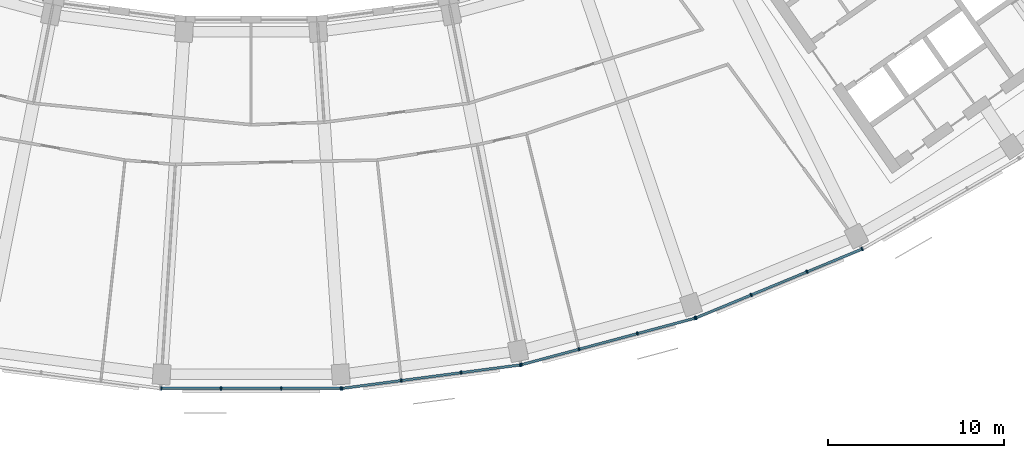
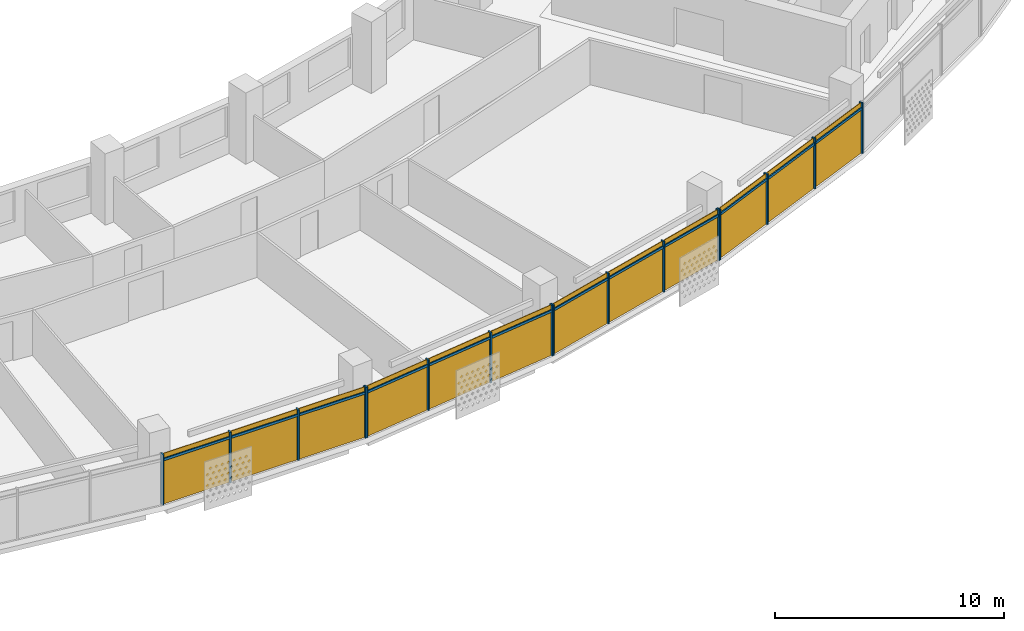
# One storey, part 20 of 28: 28 members, 4 curtain walls.
"""IFC4 building model written with IfcOpenShell, lengths in metres."""

import ifcopenshell
import ifcopenshell.guid

model = None  # the IFC model being written
_history = None  # IfcOwnerHistory: only IFC2X3 demands one
_inside = {}  # id of a spatial element -> (the spatial element, [elements in it])
_under = {}  # id of a project, library or spatial element -> (it, [spatial elements below it])
_declared = {}  # id of a project -> (the project, [libraries it declares])
_typed = {}  # id of a type object -> (the type object, [elements of that type])
_made_of = {}  # id of a material, layer set ... -> (it, [elements and type objects made of it])


def new_model(schema):
    """Start an empty IFC model of exactly this schema.

    Asked for "IFC4X3", IfcOpenShell would pick the latest addendum, in which some entities
    have other attributes; the version numbers below select the first issue.
    IFC2X3 requires an IfcOwnerHistory on every rooted entity: one is made here for all.
    """
    global model, _history
    if schema == "IFC4X3":
        model = ifcopenshell.file(schema_version=(4, 3, 0, 0))
    else:
        model = ifcopenshell.file(schema=schema)
    _inside.clear()
    _under.clear()
    _declared.clear()
    _typed.clear()
    _made_of.clear()
    _history = None
    if model.schema == "IFC2X3":
        org = make("IfcOrganization", Name="unknown")
        user = make(
            "IfcPersonAndOrganization",
            ThePerson=make("IfcPerson", FamilyName="unknown"),
            TheOrganization=org,
        )
        app = make(
            "IfcApplication",
            ApplicationDeveloper=org,
            Version="unknown",
            ApplicationFullName="unknown",
            ApplicationIdentifier="unknown",
        )
        _history = make(
            "IfcOwnerHistory",
            OwningUser=user,
            OwningApplication=app,
            ChangeAction="ADDED",
            CreationDate=0,
        )
    return model


def make(cls, **values):
    """One entity of the class cls with the attributes given. An attribute that is None is left unset."""
    return model.create_entity(
        cls, **{name: value for name, value in values.items() if value is not None}
    )


def rooted(cls, **values):
    """An entity with a GlobalId (a new one), such as an element, a storey or a relation."""
    return make(cls, GlobalId=ifcopenshell.guid.new(), OwnerHistory=_history, **values)


def si_unit(unit_type, name, prefix=None):
    """IfcSIUnit, for example si_unit("LENGTHUNIT", "METRE", prefix="MILLI")."""
    return make("IfcSIUnit", UnitType=unit_type, Prefix=prefix, Name=name)


def assignment(units):
    """IfcUnitAssignment: the units of a project."""
    return None if units is None else make("IfcUnitAssignment", Units=units)


def point(xyz):
    """IfcCartesianPoint."""
    return None if xyz is None else make("IfcCartesianPoint", Coordinates=xyz)


def direction(xyz):
    """IfcDirection."""
    return None if xyz is None else make("IfcDirection", DirectionRatios=xyz)


def frame(location, z_axis=None, x_axis=None):
    """IfcAxis2Placement3D, a coordinate frame: its origin and axes. An axis left out is left unset."""
    return make(
        "IfcAxis2Placement3D",
        Location=point(location),
        Axis=direction(z_axis),
        RefDirection=direction(x_axis),
    )


def frame_2d(location, x_axis=None):
    """IfcAxis2Placement2D, a coordinate frame in the plane: its origin and x axis."""
    return make(
        "IfcAxis2Placement2D", Location=point(location), RefDirection=direction(x_axis)
    )


def origin():
    """The frame at (0, 0, 0) with its axes left unset."""
    return frame((0.0, 0.0, 0.0))


def origin_2d():
    """The frame at (0, 0) in the plane with its x axis left unset."""
    return frame_2d((0.0, 0.0))


def place(relative_to, where):
    """IfcLocalPlacement: puts the frame where relative to a parent placement (None: the world)."""
    return make(
        "IfcLocalPlacement", PlacementRelTo=relative_to, RelativePlacement=where
    )


def context(
    kind, dimensions, precision=None, world=None, true_north=None, identifier=None
):
    """IfcGeometricRepresentationContext, for example the 3D "Model" context."""
    return make(
        "IfcGeometricRepresentationContext",
        ContextIdentifier=identifier,
        ContextType=kind,
        CoordinateSpaceDimension=dimensions,
        Precision=precision,
        WorldCoordinateSystem=world,
        TrueNorth=true_north,
    )


def subcontext(parent, identifier, kind, view, scale=None):
    """IfcGeometricRepresentationSubContext, for example "Body" below "Model"."""
    return make(
        "IfcGeometricRepresentationSubContext",
        ContextIdentifier=identifier,
        ContextType=kind,
        ParentContext=parent,
        TargetScale=scale,
        TargetView=view,
    )


def project(units=None, contexts=None):
    """IfcProject with its units and contexts."""
    return rooted(
        "IfcProject",
        Name="project",
        RepresentationContexts=contexts,
        UnitsInContext=assignment(units),
    )


def spatial(cls, under=None, at=None, **own):
    """A site, building, storey or space (cls), placed at a placement, below another one or the project."""
    s = rooted(cls, ObjectPlacement=at, **own)
    if under is not None:
        _under.setdefault(under.id(), (under, []))[1].append(s)
    return s


def profile(cls, at=None, kind="AREA", **sizes):
    """A parametric profile (cls). Its sizes go by their IFC names, for example OverallWidth=200.0."""
    return make(cls, ProfileType=kind, Position=at, **sizes)


def rectangle(**sizes):
    """IfcRectangleProfileDef."""
    return profile("IfcRectangleProfileDef", **sizes)


def extrude(swept, where, along, depth):
    """IfcExtrudedAreaSolid: the profile swept, set in the frame where, extruded along a direction by depth."""
    return make(
        "IfcExtrudedAreaSolid",
        SweptArea=swept,
        Position=where,
        ExtrudedDirection=direction(along),
        Depth=depth,
    )


def shape(context_of_items, identifier, shape_type, items):
    """IfcShapeRepresentation: the items that make up one representation, for example the "Body"."""
    return make(
        "IfcShapeRepresentation",
        ContextOfItems=context_of_items,
        RepresentationIdentifier=identifier,
        RepresentationType=shape_type,
        Items=items,
    )


def material(Name=None, Category=None):
    """IfcMaterial."""
    return make("IfcMaterial", Name=Name, Category=Category)


def material_profile(
    of_material, cross_section, Name=None, Category=None, Priority=None
):
    """IfcMaterialProfile: a cross section and its material."""
    return make(
        "IfcMaterialProfile",
        Name=Name,
        Material=of_material,
        Profile=cross_section,
        Priority=Priority,
        Category=Category,
    )


def profile_set(profiles, Name=None, composite=None):
    """IfcMaterialProfileSet."""
    return make(
        "IfcMaterialProfileSet",
        Name=Name,
        MaterialProfiles=profiles,
        CompositeProfile=composite,
    )


def made_of(thing, what):
    """Note that an element or type object is made of a material, layer set ...; save() writes the relation."""
    if what is not None:
        _made_of.setdefault(what.id(), (what, []))[1].append(thing)
    return thing


def type_object(cls, material=None, **own):
    """A type object (cls), such as IfcWallType, which elements share."""
    return made_of(rooted(cls, **own), material)


def element(
    cls,
    number,
    at=None,
    inside=None,
    cuts=None,
    type_object=None,
    material=None,
    context=None,
    identifier="Body",
    shape_type=None,
    held_by="IfcProductDefinitionShape",
    body=None,
    shapes=None,
    **own,
):
    """One element of the class cls, such as IfcWall. Its Tag is "e" and its number.

    at: its placement. inside: the storey or other place that contains it. cuts: it is an
    opening in that element (IfcRelVoidsElement). A single representation is given by context,
    identifier, shape_type and body (its items); several are given by shapes. held_by: the class
    of the entity that holds the representations. save() writes the other relations.
    """
    e = rooted(cls, Tag="e%d" % number, ObjectPlacement=at, **own)
    if body is not None:
        shapes = [shape(context, identifier, shape_type, body)]
    if shapes is not None:
        e.Representation = make(held_by, Representations=shapes)
    if inside is not None:
        _inside.setdefault(inside.id(), (inside, []))[1].append(e)
    if cuts is not None:
        rooted(
            "IfcRelVoidsElement", RelatingBuildingElement=cuts, RelatedOpeningElement=e
        )
    if type_object is not None:
        _typed.setdefault(type_object.id(), (type_object, []))[1].append(e)
    return made_of(e, material)


def aggregate(whole, parts):
    """IfcRelAggregates: a whole, such as a stair, and the parts it consists of."""
    return rooted("IfcRelAggregates", RelatingObject=whole, RelatedObjects=parts)


def save(model, path):
    """Write the relations noted so far, then the file.

    IfcRelAggregates (storeys below a building ...), IfcRelContainedInSpatialStructure (elements
    in a storey), IfcRelDefinesByType, IfcRelAssociatesMaterial and IfcRelDeclares: one each for
    every whole, place, type object, material and project.
    """
    for whole, parts in _under.values():
        aggregate(whole, parts)
    for where, things in _inside.values():
        rooted(
            "IfcRelContainedInSpatialStructure",
            RelatedElements=things,
            RelatingStructure=where,
        )
    for kind, things in _typed.values():
        rooted("IfcRelDefinesByType", RelatedObjects=things, RelatingType=kind)
    for what, things in _made_of.values():
        rooted("IfcRelAssociatesMaterial", RelatedObjects=things, RelatingMaterial=what)
    for by, libraries in _declared.values():
        rooted("IfcRelDeclares", RelatingContext=by, RelatedDefinitions=libraries)
    model.write(path)


model = new_model("IFC4")

# Units and contexts
model_context = context("Model", 3, precision=1e-05, world=origin(), true_north=direction((0.0, 1.0)))
body_context = subcontext(model_context, "Body", "Model", "MODEL_VIEW")
ifc_project = project(units=[si_unit("LENGTHUNIT", "METRE"), si_unit("AREAUNIT", "SQUARE_METRE"), si_unit("VOLUMEUNIT", "CUBIC_METRE"), si_unit("PLANEANGLEUNIT", "RADIAN"), si_unit("MASSUNIT", "GRAM", prefix="KILO")], contexts=[model_context])

# Member
ifc_material = material(Name="Aluminium 6063-T6 anodised", Category="aluminium")
ifc_material_profile_1 = material_profile(ifc_material, rectangle(XDim=0.199951171875, YDim=0.070068359375, at=origin_2d()))
ifc_profile_set_1 = profile_set([ifc_material_profile_1], Name="Aluminium 6063-T6 anodised")
member_type_1 = type_object("IfcMemberType", Name="Mullion 70 x 200 aluminium", PredefinedType="MULLION", material=ifc_profile_set_1)
site_placement = place(None, origin())
building_placement = place(site_placement, origin())
storey_placement = place(building_placement, frame((0.0, 0.0, 245.5)))
member_1_placement = place(storey_placement, frame((-5.10888671875, -78.381591796875, 0.0), z_axis=(0.0, 0.0, 1.0), x_axis=(0.0, 1.0, 0.0)))
member_1 = element("IfcMember", 1, at=member_1_placement, type_object=member_type_1, Name="e-cw1-L59-out08/M00", PredefinedType="MULLION", context=body_context, shape_type="SweptSolid", body=[
    extrude(rectangle(XDim=0.199951171875, YDim=0.070068359375, at=origin_2d()), origin(), (0.0, 0.0, 1.0), 2.699951171875),
])

member_2_placement = place(storey_placement, frame((-1.714599609375, -78.381591796875, 0.0), z_axis=(0.0, 0.0, 1.0), x_axis=(0.0, 1.0, 0.0)))
member_2 = element("IfcMember", 2, at=member_2_placement, type_object=member_type_1, Name="e-cw1-L59-out08/M01", PredefinedType="MULLION", context=body_context, shape_type="SweptSolid", body=[
    extrude(rectangle(XDim=0.199951171875, YDim=0.070068359375, at=origin_2d()), origin(), (0.0, 0.0, 1.0), 2.699951171875),
])

member_3_placement = place(storey_placement, frame((1.714599609375, -78.381591796875, 0.0), z_axis=(0.0, 0.0, 1.0), x_axis=(0.0, 1.0, 0.0)))
member_3 = element("IfcMember", 3, at=member_3_placement, type_object=member_type_1, Name="e-cw1-L59-out08/M02", PredefinedType="MULLION", context=body_context, shape_type="SweptSolid", body=[
    extrude(rectangle(XDim=0.199951171875, YDim=0.070068359375, at=origin_2d()), origin(), (0.0, 0.0, 1.0), 2.699951171875),
])

member_4_placement = place(storey_placement, frame((5.10888671875, -78.381591796875, 0.0), z_axis=(0.0, 0.0, 1.0), x_axis=(0.0, 1.0, 0.0)))
member_4 = element("IfcMember", 4, at=member_4_placement, type_object=member_type_1, Name="e-cw1-L59-out08/M03", PredefinedType="MULLION", context=body_context, shape_type="SweptSolid", body=[
    extrude(rectangle(XDim=0.199951171875, YDim=0.070068359375, at=origin_2d()), origin(), (0.0, 0.0, 1.0), 2.699951171875),
])

member_5_placement = place(storey_placement, frame((5.16552734375, -78.3779296875, 0.0), z_axis=(0.0, 0.0, 1.0), x_axis=(-0.13052619222, 0.991444861374, 0.0)))
member_5 = element("IfcMember", 5, at=member_5_placement, type_object=member_type_1, Name="e-cw1-L59-out09/M00", PredefinedType="MULLION", context=body_context, shape_type="SweptSolid", body=[
    extrude(rectangle(XDim=0.199951171875, YDim=0.070068359375, at=origin_2d()), origin(), (0.0, 0.0, 1.0), 2.699951171875),
])

member_6_placement = place(storey_placement, frame((8.53076171875, -77.934814453125, 0.0), z_axis=(0.0, 0.0, 1.0), x_axis=(-0.13052619222, 0.991444861374, 0.0)))
member_6 = element("IfcMember", 6, at=member_6_placement, type_object=member_type_1, Name="e-cw1-L59-out09/M01", PredefinedType="MULLION", context=body_context, shape_type="SweptSolid", body=[
    extrude(rectangle(XDim=0.199951171875, YDim=0.070068359375, at=origin_2d()), origin(), (0.0, 0.0, 1.0), 2.699951171875),
])

member_7_placement = place(storey_placement, frame((11.930908203125, -77.4873046875, 0.0), z_axis=(0.0, 0.0, 1.0), x_axis=(-0.13052619222, 0.991444861374, 0.0)))
member_7 = element("IfcMember", 7, at=member_7_placement, type_object=member_type_1, Name="e-cw1-L59-out09/M02", PredefinedType="MULLION", context=body_context, shape_type="SweptSolid", body=[
    extrude(rectangle(XDim=0.199951171875, YDim=0.070068359375, at=origin_2d()), origin(), (0.0, 0.0, 1.0), 2.699951171875),
])

member_8_placement = place(storey_placement, frame((15.296142578125, -77.044189453125, 0.0), z_axis=(0.0, 0.0, 1.0), x_axis=(-0.13052619222, 0.991444861374, 0.0)))
member_8 = element("IfcMember", 8, at=member_8_placement, type_object=member_type_1, Name="e-cw1-L59-out09/M03", PredefinedType="MULLION", context=body_context, shape_type="SweptSolid", body=[
    extrude(rectangle(XDim=0.199951171875, YDim=0.070068359375, at=origin_2d()), origin(), (0.0, 0.0, 1.0), 2.699951171875),
])

member_9_placement = place(storey_placement, frame((15.351806640625, -77.033203125, 0.0), z_axis=(0.0, 0.0, 1.0), x_axis=(-0.258819045103, 0.965925826289, 0.0)))
member_9 = element("IfcMember", 9, at=member_9_placement, type_object=member_type_1, Name="e-cw1-L59-out10/M00", PredefinedType="MULLION", context=body_context, shape_type="SweptSolid", body=[
    extrude(rectangle(XDim=0.199951171875, YDim=0.070068359375, at=origin_2d()), origin(), (0.0, 0.0, 1.0), 2.699951171875),
])

member_10_placement = place(storey_placement, frame((18.63037109375, -76.154541015625, 0.0), z_axis=(0.0, 0.0, 1.0), x_axis=(-0.258819045103, 0.965925826289, 0.0)))
member_10 = element("IfcMember", 10, at=member_10_placement, type_object=member_type_1, Name="e-cw1-L59-out10/M01", PredefinedType="MULLION", context=body_context, shape_type="SweptSolid", body=[
    extrude(rectangle(XDim=0.199951171875, YDim=0.070068359375, at=origin_2d()), origin(), (0.0, 0.0, 1.0), 2.699951171875),
])

member_11_placement = place(storey_placement, frame((21.94287109375, -75.26708984375, 0.0), z_axis=(0.0, 0.0, 1.0), x_axis=(-0.258819045103, 0.965925826289, 0.0)))
member_11 = element("IfcMember", 11, at=member_11_placement, type_object=member_type_1, Name="e-cw1-L59-out10/M02", PredefinedType="MULLION", context=body_context, shape_type="SweptSolid", body=[
    extrude(rectangle(XDim=0.199951171875, YDim=0.070068359375, at=origin_2d()), origin(), (0.0, 0.0, 1.0), 2.699951171875),
])

member_12_placement = place(storey_placement, frame((25.221435546875, -74.388427734375, 0.0), z_axis=(0.0, 0.0, 1.0), x_axis=(-0.258819045103, 0.965925826289, 0.0)))
member_12 = element("IfcMember", 12, at=member_12_placement, type_object=member_type_1, Name="e-cw1-L59-out10/M03", PredefinedType="MULLION", context=body_context, shape_type="SweptSolid", body=[
    extrude(rectangle(XDim=0.199951171875, YDim=0.070068359375, at=origin_2d()), origin(), (0.0, 0.0, 1.0), 2.699951171875),
])

member_13_placement = place(storey_placement, frame((25.275390625, -74.370361328125, 0.0), z_axis=(0.0, 0.0, 1.0), x_axis=(-0.382683432365, 0.923879532511, 0.0)))
member_13 = element("IfcMember", 13, at=member_13_placement, type_object=member_type_1, Name="e-cw1-L59-out11/M00", PredefinedType="MULLION", context=body_context, shape_type="SweptSolid", body=[
    extrude(rectangle(XDim=0.199951171875, YDim=0.070068359375, at=origin_2d()), origin(), (0.0, 0.0, 1.0), 2.699951171875),
])

member_14_placement = place(storey_placement, frame((28.4111328125, -73.0712890625, 0.0), z_axis=(0.0, 0.0, 1.0), x_axis=(-0.382683432365, 0.923879532511, 0.0)))
member_14 = element("IfcMember", 14, at=member_14_placement, type_object=member_type_1, Name="e-cw1-L59-out11/M01", PredefinedType="MULLION", context=body_context, shape_type="SweptSolid", body=[
    extrude(rectangle(XDim=0.199951171875, YDim=0.070068359375, at=origin_2d()), origin(), (0.0, 0.0, 1.0), 2.699951171875),
])

member_15_placement = place(storey_placement, frame((31.57958984375, -71.759033203125, 0.0), z_axis=(0.0, 0.0, 1.0), x_axis=(-0.382683432365, 0.923879532511, 0.0)))
member_15 = element("IfcMember", 15, at=member_15_placement, type_object=member_type_1, Name="e-cw1-L59-out11/M02", PredefinedType="MULLION", context=body_context, shape_type="SweptSolid", body=[
    extrude(rectangle(XDim=0.199951171875, YDim=0.070068359375, at=origin_2d()), origin(), (0.0, 0.0, 1.0), 2.699951171875),
])

member_16_placement = place(storey_placement, frame((34.71533203125, -70.4599609375, 0.0), z_axis=(0.0, 0.0, 1.0), x_axis=(-0.382683432365, 0.923879532511, 0.0)))
member_16 = element("IfcMember", 16, at=member_16_placement, type_object=member_type_1, Name="e-cw1-L59-out11/M03", PredefinedType="MULLION", context=body_context, shape_type="SweptSolid", body=[
    extrude(rectangle(XDim=0.199951171875, YDim=0.070068359375, at=origin_2d()), origin(), (0.0, 0.0, 1.0), 2.699951171875),
])

ifc_material_profile_2 = material_profile(ifc_material, rectangle(XDim=0.139892578125, YDim=0.1201171875, at=origin_2d()))
ifc_profile_set_2 = profile_set([ifc_material_profile_2], Name="Aluminium 6063-T6 anodised")
member_type_2 = type_object("IfcMemberType", Name="Transom 120 x 140 aluminium", PredefinedType="USERDEFINED", material=ifc_profile_set_2)
member_17_placement = place(storey_placement, frame((-5.073974609375, -78.381591796875, 2.39990234375), z_axis=(1.0, 0.0, 0.0), x_axis=(0.0, 1.0, 0.0)))
member_17 = element("IfcMember", 17, at=member_17_placement, type_object=member_type_2, Name="e-cw1-L59-out08/T00", ObjectType="TRANSOM", PredefinedType="USERDEFINED", context=body_context, shape_type="SweptSolid", body=[
    extrude(rectangle(XDim=0.139892578125, YDim=0.1201171875, at=origin_2d()), origin(), (0.0, 0.0, 1.0), 3.32421875),
])

member_18_placement = place(storey_placement, frame((-1.6796875, -78.381591796875, 2.39990234375), z_axis=(1.0, 0.0, 0.0), x_axis=(0.0, 1.0, 0.0)))
member_18 = element("IfcMember", 18, at=member_18_placement, type_object=member_type_2, Name="e-cw1-L59-out08/T01", ObjectType="TRANSOM", PredefinedType="USERDEFINED", context=body_context, shape_type="SweptSolid", body=[
    extrude(rectangle(XDim=0.139892578125, YDim=0.1201171875, at=origin_2d()), origin(), (0.0, 0.0, 1.0), 3.359375),
])

member_19_placement = place(storey_placement, frame((1.749755859375, -78.381591796875, 2.39990234375), z_axis=(1.0, 0.0, 0.0), x_axis=(0.0, 1.0, 0.0)))
member_19 = element("IfcMember", 19, at=member_19_placement, type_object=member_type_2, Name="e-cw1-L59-out08/T02", ObjectType="TRANSOM", PredefinedType="USERDEFINED", context=body_context, shape_type="SweptSolid", body=[
    extrude(rectangle(XDim=0.139892578125, YDim=0.1201171875, at=origin_2d()), origin(), (0.0, 0.0, 1.0), 3.32421875),
])

member_20_placement = place(storey_placement, frame((5.2001953125, -78.373291015625, 2.39990234375), z_axis=(0.991447795146, 0.130503906072, 0.0), x_axis=(-0.130503906072, 0.991447795146, 0.0)))
member_20 = element("IfcMember", 20, at=member_20_placement, type_object=member_type_2, Name="e-cw1-L59-out09/T00", ObjectType="TRANSOM", PredefinedType="USERDEFINED", context=body_context, shape_type="SweptSolid", body=[
    extrude(rectangle(XDim=0.139892578125, YDim=0.1201171875, at=origin_2d()), origin(), (0.0, 0.0, 1.0), 3.32421875),
])

member_21_placement = place(storey_placement, frame((8.565673828125, -77.93017578125, 2.39990234375), z_axis=(0.991444893088, 0.130525951326, 0.0), x_axis=(-0.130525951326, 0.991444893088, 0.0)))
member_21 = element("IfcMember", 21, at=member_21_placement, type_object=member_type_2, Name="e-cw1-L59-out09/T01", ObjectType="TRANSOM", PredefinedType="USERDEFINED", context=body_context, shape_type="SweptSolid", body=[
    extrude(rectangle(XDim=0.139892578125, YDim=0.1201171875, at=origin_2d()), origin(), (0.0, 0.0, 1.0), 3.359375),
])

member_22_placement = place(storey_placement, frame((11.965576171875, -77.482666015625, 2.39990234375), z_axis=(0.991447795146, 0.130503906072, 0.0), x_axis=(-0.130503906072, 0.991447795146, 0.0)))
member_22 = element("IfcMember", 22, at=member_22_placement, type_object=member_type_2, Name="e-cw1-L59-out09/T02", ObjectType="TRANSOM", PredefinedType="USERDEFINED", context=body_context, shape_type="SweptSolid", body=[
    extrude(rectangle(XDim=0.139892578125, YDim=0.1201171875, at=origin_2d()), origin(), (0.0, 0.0, 1.0), 3.32421875),
])

member_23_placement = place(storey_placement, frame((15.385498046875, -77.024169921875, 2.39990234375), z_axis=(0.965913629723, 0.258864559019, 0.0), x_axis=(-0.258864559019, 0.965913629723, 0.0)))
member_23 = element("IfcMember", 23, at=member_23_placement, type_object=member_type_2, Name="e-cw1-L59-out10/T00", ObjectType="TRANSOM", PredefinedType="USERDEFINED", context=body_context, shape_type="SweptSolid", body=[
    extrude(rectangle(XDim=0.139892578125, YDim=0.1201171875, at=origin_2d()), origin(), (0.0, 0.0, 1.0), 3.324462890625),
])

member_24_placement = place(storey_placement, frame((18.664306640625, -76.1455078125, 2.39990234375), z_axis=(0.965931507774, 0.258797840582, 0.0), x_axis=(-0.258797840582, 0.965931507774, 0.0)))
member_24 = element("IfcMember", 24, at=member_24_placement, type_object=member_type_2, Name="e-cw1-L59-out10/T01", ObjectType="TRANSOM", PredefinedType="USERDEFINED", context=body_context, shape_type="SweptSolid", body=[
    extrude(rectangle(XDim=0.139892578125, YDim=0.1201171875, at=origin_2d()), origin(), (0.0, 0.0, 1.0), 3.359375),
])

member_25_placement = place(storey_placement, frame((21.976806640625, -75.258056640625, 2.39990234375), z_axis=(0.965908708139, 0.25888292246, 0.0), x_axis=(-0.25888292246, 0.965908708139, 0.0)))
member_25 = element("IfcMember", 25, at=member_25_placement, type_object=member_type_2, Name="e-cw1-L59-out10/T02", ObjectType="TRANSOM", PredefinedType="USERDEFINED", context=body_context, shape_type="SweptSolid", body=[
    extrude(rectangle(XDim=0.139892578125, YDim=0.1201171875, at=origin_2d()), origin(), (0.0, 0.0, 1.0), 3.32421875),
])

member_26_placement = place(storey_placement, frame((25.3076171875, -74.35693359375, 2.39990234375), z_axis=(0.923874511193, 0.382695554676, 0.0), x_axis=(-0.382695554676, 0.923874511193, 0.0)))
member_26 = element("IfcMember", 26, at=member_26_placement, type_object=member_type_2, Name="e-cw1-L59-out11/T00", ObjectType="TRANSOM", PredefinedType="USERDEFINED", context=body_context, shape_type="SweptSolid", body=[
    extrude(rectangle(XDim=0.139892578125, YDim=0.1201171875, at=origin_2d()), origin(), (0.0, 0.0, 1.0), 3.324462890625),
])

member_27_placement = place(storey_placement, frame((28.443603515625, -73.057861328125, 2.39990234375), z_axis=(0.923891938088, 0.38265348128, 0.0), x_axis=(-0.38265348128, 0.923891938088, 0.0)))
member_27 = element("IfcMember", 27, at=member_27_placement, type_object=member_type_2, Name="e-cw1-L59-out11/T01", ObjectType="TRANSOM", PredefinedType="USERDEFINED", context=body_context, shape_type="SweptSolid", body=[
    extrude(rectangle(XDim=0.139892578125, YDim=0.1201171875, at=origin_2d()), origin(), (0.0, 0.0, 1.0), 3.359130859375),
])

member_28_placement = place(storey_placement, frame((31.61181640625, -71.74560546875, 2.39990234375), z_axis=(0.923874511193, 0.382695554676, 0.0), x_axis=(-0.382695554676, 0.923874511193, 0.0)))
member_28 = element("IfcMember", 28, at=member_28_placement, type_object=member_type_2, Name="e-cw1-L59-out11/T02", ObjectType="TRANSOM", PredefinedType="USERDEFINED", context=body_context, shape_type="SweptSolid", body=[
    extrude(rectangle(XDim=0.139892578125, YDim=0.1201171875, at=origin_2d()), origin(), (0.0, 0.0, 1.0), 3.324462890625),
])

# Site, building, storey
site = spatial("IfcSite", under=ifc_project, at=site_placement, CompositionType="ELEMENT")
building = spatial("IfcBuilding", under=site, at=building_placement, Name="Qamariyya Broadcast Tower", CompositionType="ELEMENT")
storey = spatial("IfcBuildingStorey", under=building, at=storey_placement, Name="L59", CompositionType="ELEMENT", Elevation=245.5)

# Curtain wall
curtain_wall_type = type_object("IfcCurtainWallType", Name="Unitised curtain wall, anodised aluminium", PredefinedType="NOTDEFINED", material=ifc_material)
curtain_wall_1_placement = place(storey_placement, origin())
curtain_wall_1 = element("IfcCurtainWall", 29, at=curtain_wall_1_placement, inside=storey, type_object=curtain_wall_type, Name="e-cw1-L59-out08", PredefinedType="NOTDEFINED", context=body_context, shape_type="SweptSolid", body=[
    extrude(rectangle(XDim=3.324462890625, YDim=0.031982421875, at=origin_2d()), frame((-3.411865234375, -78.381591796875, 0.0), x_axis=(1.0, 0.0, 0.0)), (0.0, 0.0, 1.0), 2.340087890625),
    extrude(rectangle(XDim=3.324462890625, YDim=0.031982421875, at=origin_2d()), frame((-3.411865234375, -78.381591796875, 2.4599609375), x_axis=(1.0, 0.0, 0.0)), (0.0, 0.0, 1.0), 0.239990234375),
    extrude(rectangle(XDim=3.359375, YDim=0.031982421875, at=origin_2d()), frame((0.0, -78.381591796875, 0.0), x_axis=(1.0, 0.0, 0.0)), (0.0, 0.0, 1.0), 2.340087890625),
    extrude(rectangle(XDim=3.359375, YDim=0.031982421875, at=origin_2d()), frame((0.0, -78.381591796875, 2.4599609375), x_axis=(1.0, 0.0, 0.0)), (0.0, 0.0, 1.0), 0.239990234375),
    extrude(rectangle(XDim=3.324462890625, YDim=0.031982421875, at=origin_2d()), frame((3.411865234375, -78.381591796875, 0.0), x_axis=(1.0, 0.0, 0.0)), (0.0, 0.0, 1.0), 2.340087890625),
    extrude(rectangle(XDim=3.324462890625, YDim=0.031982421875, at=origin_2d()), frame((3.411865234375, -78.381591796875, 2.4599609375), x_axis=(1.0, 0.0, 0.0)), (0.0, 0.0, 1.0), 0.239990234375),
])

aggregate(curtain_wall_1, [member_1, member_2, member_3, member_4, member_17, member_18, member_19])

curtain_wall_2_placement = place(storey_placement, origin())
curtain_wall_2 = element("IfcCurtainWall", 30, at=curtain_wall_2_placement, inside=storey, type_object=curtain_wall_type, Name="e-cw1-L59-out09", PredefinedType="NOTDEFINED", context=body_context, shape_type="SweptSolid", body=[
    extrude(rectangle(XDim=3.32421875, YDim=0.031982421875, at=origin_2d()), frame((6.84814453125, -78.156494140625, 0.0), x_axis=(0.991442741341, 0.130542294457, 0.0)), (0.0, 0.0, 1.0), 2.340087890625),
    extrude(rectangle(XDim=3.32421875, YDim=0.031982421875, at=origin_2d()), frame((6.84814453125, -78.156494140625, 2.4599609375), x_axis=(0.991442741341, 0.130542294457, 0.0)), (0.0, 0.0, 1.0), 0.239990234375),
    extrude(rectangle(XDim=3.359375, YDim=0.031982421875, at=origin_2d()), frame((10.23095703125, -77.7109375, 0.0), x_axis=(0.991442741341, 0.130542294457, 0.0)), (0.0, 0.0, 1.0), 2.340087890625),
    extrude(rectangle(XDim=3.359375, YDim=0.031982421875, at=origin_2d()), frame((10.23095703125, -77.7109375, 2.4599609375), x_axis=(0.991442741341, 0.130542294457, 0.0)), (0.0, 0.0, 1.0), 0.239990234375),
    extrude(rectangle(XDim=3.32421875, YDim=0.031982421875, at=origin_2d()), frame((13.613525390625, -77.265625, 0.0), x_axis=(0.991442741341, 0.130542294457, 0.0)), (0.0, 0.0, 1.0), 2.340087890625),
    extrude(rectangle(XDim=3.32421875, YDim=0.031982421875, at=origin_2d()), frame((13.613525390625, -77.265625, 2.4599609375), x_axis=(0.991442741341, 0.130542294457, 0.0)), (0.0, 0.0, 1.0), 0.239990234375),
])

aggregate(curtain_wall_2, [member_5, member_6, member_7, member_8, member_20, member_21, member_22])

curtain_wall_3_placement = place(storey_placement, origin())
curtain_wall_3 = element("IfcCurtainWall", 31, at=curtain_wall_3_placement, inside=storey, type_object=curtain_wall_type, Name="e-cw1-L59-out10", PredefinedType="NOTDEFINED", context=body_context, shape_type="SweptSolid", body=[
    extrude(rectangle(XDim=3.324462890625, YDim=0.031982421875, at=origin_2d()), frame((16.990966796875, -76.593994140625, 0.0), x_axis=(0.965923476514, 0.258827814424, 0.0)), (0.0, 0.0, 1.0), 2.340087890625),
    extrude(rectangle(XDim=3.324462890625, YDim=0.031982421875, at=origin_2d()), frame((16.990966796875, -76.593994140625, 2.4599609375), x_axis=(0.965923476514, 0.258827814424, 0.0)), (0.0, 0.0, 1.0), 0.239990234375),
    extrude(rectangle(XDim=3.359375, YDim=0.031982421875, at=origin_2d()), frame((20.28662109375, -75.7109375, 0.0), x_axis=(0.965923476514, 0.258827814424, 0.0)), (0.0, 0.0, 1.0), 2.340087890625),
    extrude(rectangle(XDim=3.359375, YDim=0.031982421875, at=origin_2d()), frame((20.28662109375, -75.7109375, 2.4599609375), x_axis=(0.965923476514, 0.258827814424, 0.0)), (0.0, 0.0, 1.0), 0.239990234375),
    extrude(rectangle(XDim=3.324462890625, YDim=0.031982421875, at=origin_2d()), frame((23.582275390625, -74.82763671875, 0.0), x_axis=(0.965923476514, 0.258827814424, 0.0)), (0.0, 0.0, 1.0), 2.340087890625),
    extrude(rectangle(XDim=3.324462890625, YDim=0.031982421875, at=origin_2d()), frame((23.582275390625, -74.82763671875, 2.4599609375), x_axis=(0.965923476514, 0.258827814424, 0.0)), (0.0, 0.0, 1.0), 0.239990234375),
])

aggregate(curtain_wall_3, [member_9, member_10, member_11, member_12, member_23, member_24, member_25])

curtain_wall_4_placement = place(storey_placement, origin())
curtain_wall_4 = element("IfcCurtainWall", 32, at=curtain_wall_4_placement, inside=storey, type_object=curtain_wall_type, Name="e-cw1-L59-out11", PredefinedType="NOTDEFINED", context=body_context, shape_type="SweptSolid", body=[
    extrude(rectangle(XDim=3.32421875, YDim=0.031982421875, at=origin_2d()), frame((26.84326171875, -73.720703125, 0.0), x_axis=(0.923880895135, 0.382680142683, 0.0)), (0.0, 0.0, 1.0), 2.340087890625),
    extrude(rectangle(XDim=3.32421875, YDim=0.031982421875, at=origin_2d()), frame((26.84326171875, -73.720703125, 2.4599609375), x_axis=(0.923880895135, 0.382680142683, 0.0)), (0.0, 0.0, 1.0), 0.239990234375),
    extrude(rectangle(XDim=3.359375, YDim=0.031982421875, at=origin_2d()), frame((29.995361328125, -72.4150390625, 0.0), x_axis=(0.923880895135, 0.382680142683, 0.0)), (0.0, 0.0, 1.0), 2.340087890625),
    extrude(rectangle(XDim=3.359375, YDim=0.031982421875, at=origin_2d()), frame((29.995361328125, -72.4150390625, 2.4599609375), x_axis=(0.923880895135, 0.382680142683, 0.0)), (0.0, 0.0, 1.0), 0.239990234375),
    extrude(rectangle(XDim=3.32421875, YDim=0.031982421875, at=origin_2d()), frame((33.1474609375, -71.109375, 0.0), x_axis=(0.923880895135, 0.382680142683, 0.0)), (0.0, 0.0, 1.0), 2.340087890625),
    extrude(rectangle(XDim=3.32421875, YDim=0.031982421875, at=origin_2d()), frame((33.1474609375, -71.109375, 2.4599609375), x_axis=(0.923880895135, 0.382680142683, 0.0)), (0.0, 0.0, 1.0), 0.239990234375),
])

aggregate(curtain_wall_4, [member_13, member_14, member_15, member_16, member_26, member_27, member_28])

save(model, "model.ifc")
